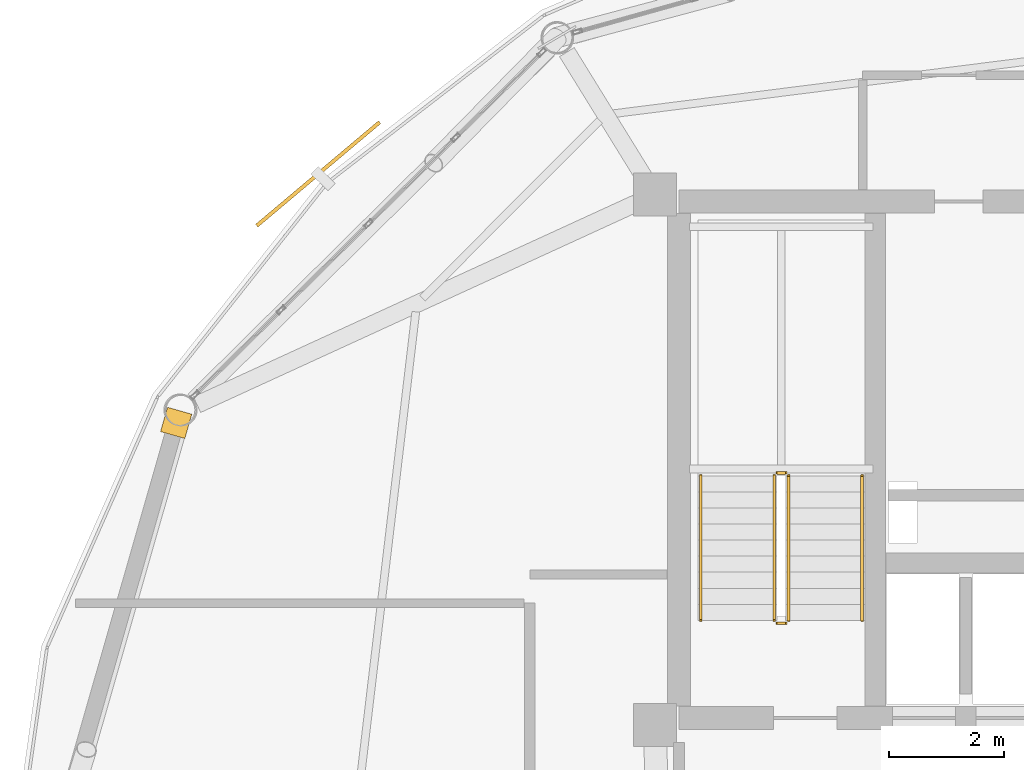
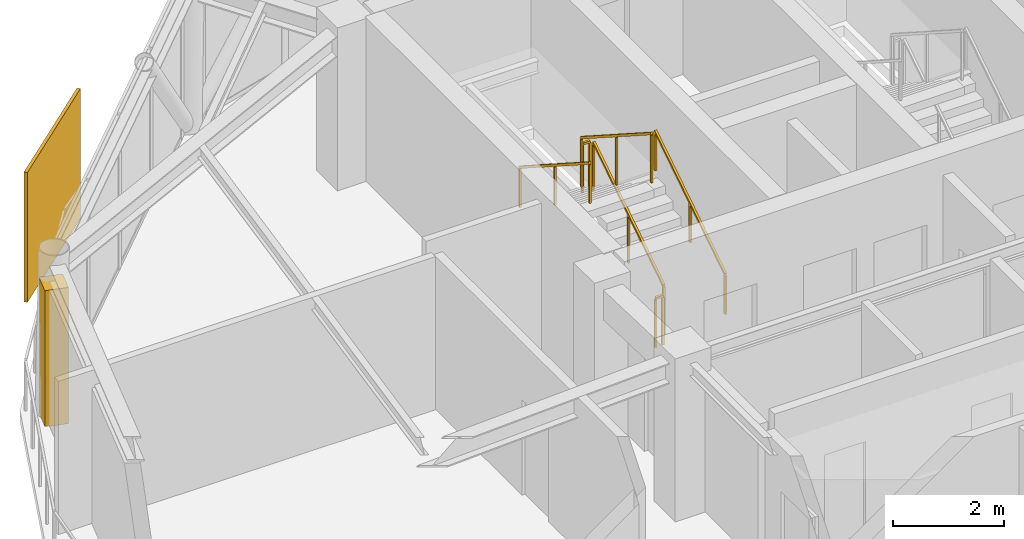
# One storey, part 24 of 26: 6 railings, 1 covering, 1 shading device.
"""IFC4 building model written with IfcOpenShell, lengths in metres."""

from ifc_helpers import new_model, si_unit, direction, frame, origin, origin_2d, place, context, subcontext, project, spatial, rectangle, extrude, source, transform, mapped, material, layer, layer_set, type_object, type_shapes, element, save


model = new_model("IFC4")

# Units and contexts
model_context = context("Model", 3, precision=1e-05, world=origin(), true_north=direction((0.0, 1.0)))
body_context = subcontext(model_context, "Body", "Model", "MODEL_VIEW")
ifc_project = project(units=[si_unit("LENGTHUNIT", "METRE"), si_unit("AREAUNIT", "SQUARE_METRE"), si_unit("VOLUMEUNIT", "CUBIC_METRE"), si_unit("PLANEANGLEUNIT", "RADIAN"), si_unit("MASSUNIT", "GRAM", prefix="KILO")], contexts=[model_context])

# Site, building, storey
site_placement = place(None, origin())
site = spatial("IfcSite", under=ifc_project, at=site_placement, CompositionType="ELEMENT")
building_placement = place(site_placement, origin())
building = spatial("IfcBuilding", under=site, at=building_placement, Name="Varnakorn Sky Granary", CompositionType="ELEMENT")
storey_placement = place(building_placement, frame((0.0, 0.0, 270.60009765625)))
storey = spatial("IfcBuildingStorey", under=building, at=storey_placement, Name="L69", CompositionType="ELEMENT", Elevation=270.60009765625)

# Railings
ifc_material_1 = material(Name="Brushed Stainless Steel 316", Category="steel")
railing_type_1 = type_object("IfcRailingType", Name="RL-STAIR-1100", PredefinedType="GUARDRAIL", material=ifc_material_1)
railing_1_placement = place(storey_placement, frame((-0.090087890625, 5.199951171875, 0.179931640625)))
element("IfcRailing", 1, at=railing_1_placement, inside=storey, type_object=railing_type_1, Name="L69 ST-1 stair guard 1", PredefinedType="GUARDRAIL", context=body_context, shape_type="SweptSolid", body=[
    extrude(rectangle(XDim=0.048095703125, YDim=0.048095703125, at=origin_2d()), frame((0.0, 0.0, 1.076171875), z_axis=(0.0, 0.841199657755, 0.540724639528), x_axis=(-1.0, 0.0, 0.0)), (0.0, 0.0, 1.0), 2.995849609375),
    extrude(rectangle(XDim=0.0419921875, YDim=0.0419921875, at=origin_2d()), origin(), (0.0, 0.0, 1.0), 1.048095703125),
    extrude(rectangle(XDim=0.0419921875, YDim=0.0419921875, at=origin_2d()), frame((0.0, 1.260009765625, 0.81005859375)), (0.0, 0.0, 1.0), 1.048095703125),
    extrude(rectangle(XDim=0.0419921875, YDim=0.0419921875, at=origin_2d()), frame((0.0, 2.52001953125, 1.619873046875)), (0.0, 0.0, 1.0), 1.048095703125),
])
railing_2_placement = place(storey_placement, frame((-0.139892578125, 7.77001953125, 1.7998046875)))
element("IfcRailing", 2, at=railing_2_placement, inside=storey, type_object=railing_type_1, Name="L69 ST-1 stair guard 2", PredefinedType="GUARDRAIL", context=body_context, shape_type="SweptSolid", body=[
    extrude(rectangle(XDim=0.048095703125, YDim=0.048095703125, at=origin_2d()), frame((0.0, 0.0, 1.076171875), z_axis=(-1.0, 0.0, 0.0), x_axis=(0.0, -1.0, 0.0)), (0.0, 0.0, 1.0), 0.150146484375),
    extrude(rectangle(XDim=0.0419921875, YDim=0.0419921875, at=origin_2d()), origin(), (0.0, 0.0, 1.0), 1.048095703125),
    extrude(rectangle(XDim=0.0419921875, YDim=0.0419921875, at=origin_2d()), frame((-0.150146484375, 0.0, 0.0)), (0.0, 0.0, 1.0), 1.048095703125),
])
railing_3_placement = place(storey_placement, frame((-0.340087890625, 7.719970703125, 1.97998046875)))
element("IfcRailing", 3, at=railing_3_placement, inside=storey, type_object=railing_type_1, Name="L69 ST-1 stair guard 3", PredefinedType="GUARDRAIL", context=body_context, shape_type="SweptSolid", body=[
    extrude(rectangle(XDim=0.048095703125, YDim=0.048095703125, at=origin_2d()), frame((0.0, 0.0, 1.076171875), z_axis=(0.0, -0.841199657755, 0.540724639528), x_axis=(1.0, 0.0, 0.0)), (0.0, 0.0, 1.0), 2.995849609375),
    extrude(rectangle(XDim=0.0419921875, YDim=0.0419921875, at=origin_2d()), origin(), (0.0, 0.0, 1.0), 1.048095703125),
    extrude(rectangle(XDim=0.0419921875, YDim=0.0419921875, at=origin_2d()), frame((0.0, -1.260009765625, 0.81005859375)), (0.0, 0.0, 1.0), 1.048095703125),
    extrude(rectangle(XDim=0.0419921875, YDim=0.0419921875, at=origin_2d()), frame((0.0, -2.52001953125, 1.619873046875)), (0.0, 0.0, 1.0), 1.048095703125),
])
railing_4_placement = place(storey_placement, frame((-0.139892578125, 5.14990234375, 0.0)))
element("IfcRailing", 4, at=railing_4_placement, inside=storey, type_object=railing_type_1, Name="L69 ST-1 stair guard 4", PredefinedType="GUARDRAIL", context=body_context, shape_type="SweptSolid", body=[
    extrude(rectangle(XDim=0.048095703125, YDim=0.048095703125, at=origin_2d()), frame((0.0, 0.0, 1.076171875), z_axis=(-1.0, 0.0, 0.0), x_axis=(0.0, -1.0, 0.0)), (0.0, 0.0, 1.0), 0.150146484375),
    extrude(rectangle(XDim=0.0419921875, YDim=0.0419921875, at=origin_2d()), origin(), (0.0, 0.0, 1.0), 1.048095703125),
    extrude(rectangle(XDim=0.0419921875, YDim=0.0419921875, at=origin_2d()), frame((-0.150146484375, 0.0, 0.0)), (0.0, 0.0, 1.0), 1.048095703125),
])
railing_type_2 = type_object("IfcRailingType", Name="RL-STAIR-920", PredefinedType="HANDRAIL", material=ifc_material_1)
railing_5_placement = place(storey_placement, frame((1.18994140625, 5.199951171875, 0.179931640625)))
element("IfcRailing", 5, at=railing_5_placement, inside=storey, type_object=railing_type_2, Name="L69 ST-1 stair handrail 1", PredefinedType="HANDRAIL", context=body_context, shape_type="SweptSolid", body=[
    extrude(rectangle(XDim=0.048095703125, YDim=0.048095703125, at=origin_2d()), frame((0.0, 0.0, 0.8759765625), z_axis=(0.0, 0.841199657755, 0.540724639528), x_axis=(-1.0, 0.0, 0.0)), (0.0, 0.0, 1.0), 2.995849609375),
    extrude(rectangle(XDim=0.0419921875, YDim=0.0419921875, at=origin_2d()), origin(), (0.0, 0.0, 1.0), 0.847900390625),
    extrude(rectangle(XDim=0.0419921875, YDim=0.0419921875, at=origin_2d()), frame((0.0, 1.260009765625, 0.81005859375)), (0.0, 0.0, 1.0), 0.847900390625),
    extrude(rectangle(XDim=0.0419921875, YDim=0.0419921875, at=origin_2d()), frame((0.0, 2.52001953125, 1.619873046875)), (0.0, 0.0, 1.0), 0.847900390625),
])
railing_6_placement = place(storey_placement, frame((-1.6201171875, 7.719970703125, 1.97998046875)))
element("IfcRailing", 6, at=railing_6_placement, inside=storey, type_object=railing_type_2, Name="L69 ST-1 stair handrail 2", PredefinedType="HANDRAIL", context=body_context, shape_type="SweptSolid", body=[
    extrude(rectangle(XDim=0.048095703125, YDim=0.048095703125, at=origin_2d()), frame((0.0, 0.0, 0.8759765625), z_axis=(0.0, -0.841199657755, 0.540724639528), x_axis=(1.0, 0.0, 0.0)), (0.0, 0.0, 1.0), 2.995849609375),
    extrude(rectangle(XDim=0.0419921875, YDim=0.0419921875, at=origin_2d()), origin(), (0.0, 0.0, 1.0), 0.847900390625),
    extrude(rectangle(XDim=0.0419921875, YDim=0.0419921875, at=origin_2d()), frame((0.0, -1.260009765625, 0.81005859375)), (0.0, 0.0, 1.0), 0.847900390625),
    extrude(rectangle(XDim=0.0419921875, YDim=0.0419921875, at=origin_2d()), frame((0.0, -2.52001953125, 1.619873046875)), (0.0, 0.0, 1.0), 0.847900390625),
])

# Covering
ifc_material_2 = material(Name="Anodised Bronze Aluminium Alloy 6063-T6", Category="aluminium")
ifc_layer = layer(ifc_material_2, 0.050048828125, Name="Anodised Bronze Aluminium Alloy 6063-T6")
ifc_layer_set = layer_set([ifc_layer], Name="Anodised Bronze Aluminium Alloy 6063-T6")
covering_type = type_object("IfcCoveringType", Name="CV-CLAD-50", PredefinedType="CLADDING", material=ifc_layer_set)
shared_shape_1 = source(origin(), body_context, "Body", "SweptSolid", [
    extrude(rectangle(XDim=0.43994140625, YDim=0.43994140625, at=origin_2d()), origin(), (0.0, 0.0, 1.0), 2.989990234375),
])
type_shapes(covering_type, [shared_shape_1])
covering_placement = place(storey_placement, frame((-10.76318359375, 8.6416015625, -0.02001953125), z_axis=(0.0, 0.0, 1.0), x_axis=(0.275469579804, 0.961309789091, 0.0)))
element("IfcCovering", 7, at=covering_placement, inside=storey, type_object=covering_type, Name="Bronze Corner Pilaster Closure L69-P06-B", PredefinedType="CLADDING", context=body_context, shape_type="MappedRepresentation", body=[
    mapped(shared_shape_1, transform((0.0, 0.0, 0.0), x_axis=(1.0, 0.0, 0.0), y_axis=(0.0, 1.0, 0.0), z_axis=(0.0, 0.0, 1.0), scale=1.0)),
])

# Shading device
shading_device_type = type_object("IfcShadingDeviceType", Name="SH-SCR-03", PredefinedType="USERDEFINED", material=ifc_material_2)
shared_shape_2 = source(origin(), body_context, "Body", "SweptSolid", [
    extrude(rectangle(XDim=2.800048828125, YDim=0.06494140625, at=origin_2d()), origin(), (0.0, 0.0, 1.0), 2.85009765625),
])
type_shapes(shading_device_type, [shared_shape_2])
shading_device_placement = place(storey_placement, frame((-8.288330078125, 12.980712890625, -0.0400390625), z_axis=(0.0, 0.0, 1.0), x_axis=(-0.764970898103, -0.644064845381, 0.0)))
element("IfcShadingDevice", 8, at=shading_device_placement, inside=storey, type_object=shading_device_type, Name="Perforated Bronze Solar Screen Panel SCREEN L69-05", ObjectType="SCREEN", PredefinedType="USERDEFINED", context=body_context, shape_type="MappedRepresentation", body=[
    mapped(shared_shape_2, transform((0.0, 0.0, 0.0), x_axis=(1.0, 0.0, 0.0), y_axis=(0.0, 1.0, 0.0), z_axis=(0.0, 0.0, 1.0), scale=1.0)),
])

save(model, "model.ifc")
